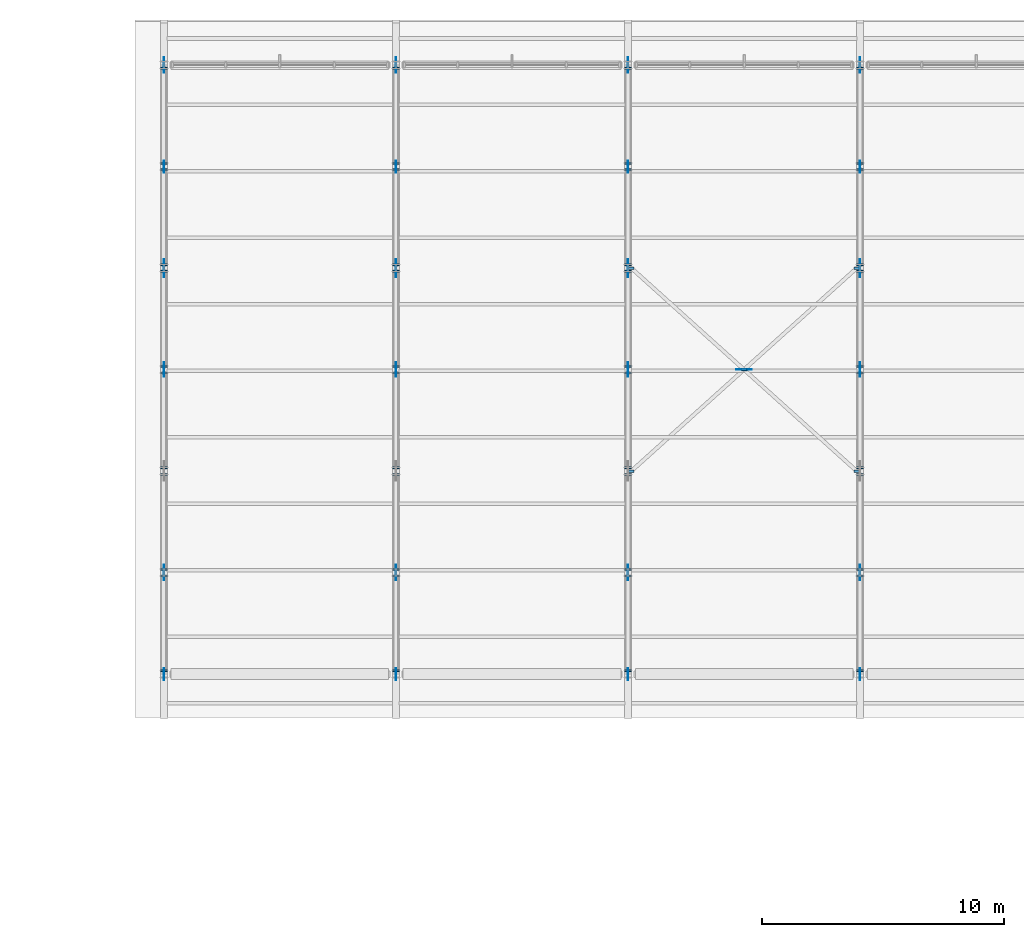
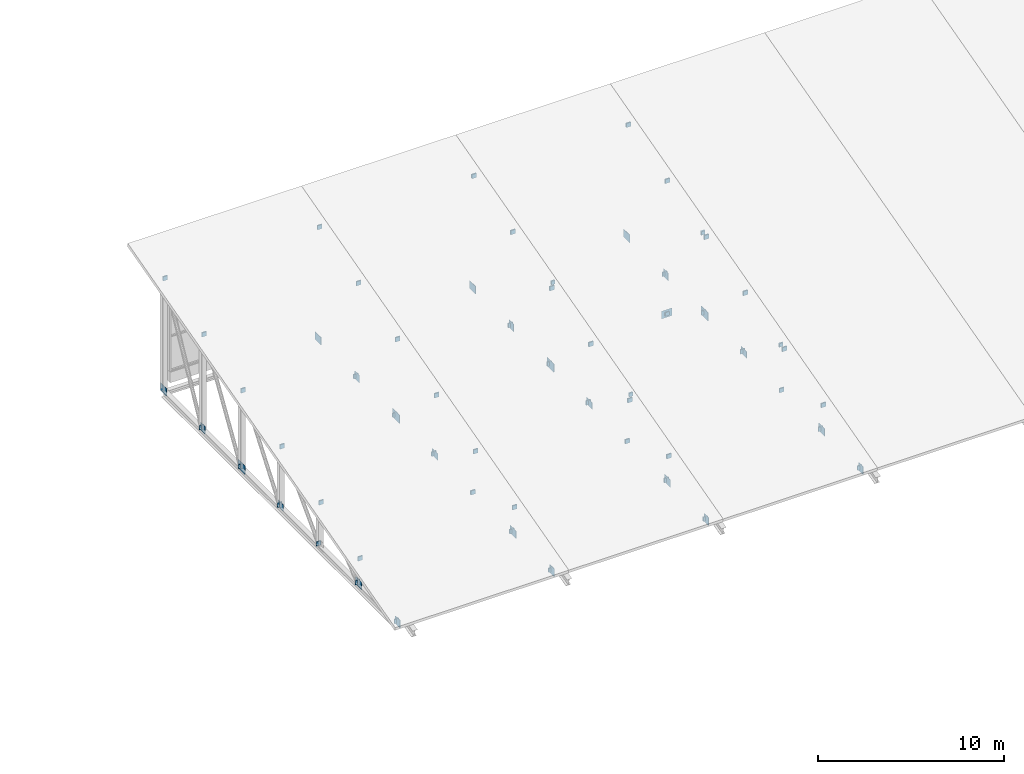
# One storey, part 24 of 37: 79 plates.
"""IFC4 building model written with IfcOpenShell, lengths in metres."""

from ifc_helpers import new_model, si_unit, direction, frame, origin, origin_2d, place, context, subcontext, project, spatial, rectangle, extrude, material, layer, layer_set, type_object, element, save


model = new_model("IFC4")

# Units and contexts
model_context = context("Model", 3, precision=1e-05, world=origin(), true_north=direction((0.0, 1.0)))
body_context = subcontext(model_context, "Body", "Model", "MODEL_VIEW")
ifc_project = project(units=[si_unit("LENGTHUNIT", "METRE"), si_unit("AREAUNIT", "SQUARE_METRE"), si_unit("VOLUMEUNIT", "CUBIC_METRE"), si_unit("PLANEANGLEUNIT", "RADIAN"), si_unit("MASSUNIT", "GRAM", prefix="KILO")], contexts=[model_context])

# Site, building, storey
site_placement = place(None, origin())
site = spatial("IfcSite", under=ifc_project, at=site_placement, CompositionType="ELEMENT")
building_placement = place(site_placement, origin())
building = spatial("IfcBuilding", under=site, at=building_placement, Name="Shalvenor Court Art Gallery", CompositionType="ELEMENT")
storey_placement = place(building_placement, frame((0.0, 0.0, 22.199951171875)))
storey = spatial("IfcBuildingStorey", under=building, at=storey_placement, Name="L04", CompositionType="ELEMENT", Elevation=22.199951171875)

# Plates
ifc_material_1 = material(Name="Steel S355", Category="steel")
ifc_layer_1 = layer(ifc_material_1, 0.02001953125, Name="Steel S355")
ifc_layer_set_1 = layer_set([ifc_layer_1], Name="Steel S355")
plate_type_1 = type_object("IfcPlateType", Name="EP-01", PredefinedType="USERDEFINED", material=ifc_layer_set_1)
for number, where, z_axis, x_axis, name in (
    (1, (57.60009765625, 97.340087890625, -1.27490234375), (0.0, 0.0, 1.0), (1.0, 0.0, 0.0), "Truss End Cap Stiffener PLT-CAP-0008"),
    (2, (57.60009765625, 101.260009765625, 0.45654296875), (0.0, 0.0, 1.0), (1.0, 0.0, 0.0), "Truss End Cap Stiffener PLT-CAP-0009"),
    (3, (57.60009765625, 101.5400390625, -1.27490234375), (0.0, 0.0, 1.0), (1.0, 0.0, 0.0), "Truss End Cap Stiffener PLT-CAP-0010"),
    (4, (57.60009765625, 105.4599609375, 1.59423828125), (0.0, 0.0, 1.0), (1.0, 0.0, 0.0), "Truss End Cap Stiffener PLT-CAP-0011"),
    (5, (57.60009765625, 105.739990234375, -1.27490234375), (0.0, 0.0, 1.0), (1.0, 0.0, 0.0), "Truss End Cap Stiffener PLT-CAP-0012"),
    (6, (57.60009765625, 109.659912109375, 2.73193359375), (0.0, 0.0, 1.0), (1.0, 0.0, 0.0), "Truss End Cap Stiffener PLT-CAP-0013"),
    (7, (57.60009765625, 109.93994140625, -1.27490234375), (0.0, 0.0, 1.0), (1.0, 0.0, 0.0), "Truss End Cap Stiffener PLT-CAP-0014"),
    (8, (57.60009765625, 113.860107421875, 3.869140625), (0.0, 0.0, 1.0), (1.0, 0.0, 0.0), "Truss End Cap Stiffener PLT-CAP-0015"),
    (9, (57.60009765625, 114.139892578125, -1.27490234375), (0.0, 0.0, 1.0), (1.0, 0.0, 0.0), "Truss End Cap Stiffener PLT-CAP-0016"),
    (10, (57.60009765625, 118.06005859375, 5.0068359375), (0.0, 0.0, 1.0), (1.0, 0.0, 0.0), "Truss End Cap Stiffener PLT-CAP-0017"),
    (11, (57.60009765625, 118.340087890625, -1.27490234375), (0.0, 0.0, 1.0), (1.0, 0.0, 0.0), "Truss End Cap Stiffener PLT-CAP-0018"),
    (12, (57.60009765625, 122.260009765625, 6.14404296875), (0.0, 0.0, 1.0), (1.0, 0.0, 0.0), "Truss End Cap Stiffener PLT-CAP-0019"),
    (13, (67.199951171875, 97.340087890625, -1.27490234375), (0.0, 0.0, 1.0), (1.0, 0.0, 0.0), "Truss End Cap Stiffener PLT-CAP-0027"),
    (14, (67.199951171875, 101.260009765625, 0.45654296875), (0.0, 0.0, 1.0), (1.0, 0.0, 0.0), "Truss End Cap Stiffener PLT-CAP-0028"),
    (15, (67.199951171875, 101.5400390625, -1.27490234375), (0.0, 0.0, 1.0), (1.0, 0.0, 0.0), "Truss End Cap Stiffener PLT-CAP-0029"),
    (16, (67.199951171875, 105.4599609375, 1.59423828125), (0.0, 0.0, 1.0), (1.0, 0.0, 0.0), "Truss End Cap Stiffener PLT-CAP-0030"),
    (17, (67.199951171875, 105.739990234375, -1.27490234375), (0.0, 0.0, 1.0), (1.0, 0.0, 0.0), "Truss End Cap Stiffener PLT-CAP-0031"),
    (18, (67.199951171875, 109.659912109375, 2.73193359375), (0.0, 0.0, 1.0), (1.0, 0.0, 0.0), "Truss End Cap Stiffener PLT-CAP-0032"),
    (19, (67.199951171875, 109.93994140625, -1.27490234375), (0.0, 0.0, 1.0), (1.0, 0.0, 0.0), "Truss End Cap Stiffener PLT-CAP-0033"),
    (20, (67.199951171875, 113.860107421875, 3.869140625), (0.0, 0.0, 1.0), (1.0, 0.0, 0.0), "Truss End Cap Stiffener PLT-CAP-0034"),
    (21, (67.199951171875, 114.139892578125, -1.27490234375), (0.0, 0.0, 1.0), (1.0, 0.0, 0.0), "Truss End Cap Stiffener PLT-CAP-0035"),
    (22, (67.199951171875, 118.06005859375, 5.0068359375), (0.0, 0.0, 1.0), (1.0, 0.0, 0.0), "Truss End Cap Stiffener PLT-CAP-0036"),
    (23, (67.199951171875, 118.340087890625, -1.27490234375), (0.0, 0.0, 1.0), (1.0, 0.0, 0.0), "Truss End Cap Stiffener PLT-CAP-0037"),
    (24, (67.199951171875, 122.260009765625, 6.14404296875), (0.0, 0.0, 1.0), (1.0, 0.0, 0.0), "Truss End Cap Stiffener PLT-CAP-0038"),
    (25, (76.800048828125, 97.340087890625, -1.27490234375), (0.0, 0.0, 1.0), (1.0, 0.0, 0.0), "Truss End Cap Stiffener PLT-CAP-0046"),
    (26, (76.800048828125, 101.260009765625, 0.45654296875), (0.0, 0.0, 1.0), (1.0, 0.0, 0.0), "Truss End Cap Stiffener PLT-CAP-0047"),
    (27, (76.800048828125, 101.5400390625, -1.27490234375), (0.0, 0.0, 1.0), (1.0, 0.0, 0.0), "Truss End Cap Stiffener PLT-CAP-0048"),
    (28, (76.800048828125, 105.4599609375, 1.59423828125), (0.0, 0.0, 1.0), (1.0, 0.0, 0.0), "Truss End Cap Stiffener PLT-CAP-0049"),
    (29, (76.800048828125, 105.739990234375, -1.27490234375), (0.0, 0.0, 1.0), (1.0, 0.0, 0.0), "Truss End Cap Stiffener PLT-CAP-0050"),
    (30, (76.800048828125, 109.659912109375, 2.73193359375), (0.0, 0.0, 1.0), (1.0, 0.0, 0.0), "Truss End Cap Stiffener PLT-CAP-0051"),
    (31, (76.800048828125, 109.93994140625, -1.27490234375), (0.0, 0.0, 1.0), (1.0, 0.0, 0.0), "Truss End Cap Stiffener PLT-CAP-0052"),
    (32, (76.800048828125, 113.860107421875, 3.869140625), (0.0, 0.0, 1.0), (1.0, 0.0, 0.0), "Truss End Cap Stiffener PLT-CAP-0053"),
    (33, (76.800048828125, 114.139892578125, -1.27490234375), (0.0, 0.0, 1.0), (1.0, 0.0, 0.0), "Truss End Cap Stiffener PLT-CAP-0054"),
    (34, (76.800048828125, 118.06005859375, 5.0068359375), (0.0, 0.0, 1.0), (1.0, 0.0, 0.0), "Truss End Cap Stiffener PLT-CAP-0055"),
    (35, (76.800048828125, 118.340087890625, -1.27490234375), (0.0, 0.0, 1.0), (1.0, 0.0, 0.0), "Truss End Cap Stiffener PLT-CAP-0056"),
    (36, (76.800048828125, 122.260009765625, 6.14404296875), (0.0, 0.0, 1.0), (1.0, 0.0, 0.0), "Truss End Cap Stiffener PLT-CAP-0057"),
    (37, (86.39990234375, 97.340087890625, -1.27490234375), (0.0, 0.0, 1.0), (1.0, 0.0, 0.0), "Truss End Cap Stiffener PLT-CAP-0065"),
    (38, (86.39990234375, 101.260009765625, 0.45654296875), (0.0, 0.0, 1.0), (1.0, 0.0, 0.0), "Truss End Cap Stiffener PLT-CAP-0066"),
    (39, (86.39990234375, 101.5400390625, -1.27490234375), (0.0, 0.0, 1.0), (1.0, 0.0, 0.0), "Truss End Cap Stiffener PLT-CAP-0067"),
    (40, (86.39990234375, 105.4599609375, 1.59423828125), (0.0, 0.0, 1.0), (1.0, 0.0, 0.0), "Truss End Cap Stiffener PLT-CAP-0068"),
    (41, (86.39990234375, 105.739990234375, -1.27490234375), (0.0, 0.0, 1.0), (1.0, 0.0, 0.0), "Truss End Cap Stiffener PLT-CAP-0069"),
    (42, (86.39990234375, 109.659912109375, 2.73193359375), (0.0, 0.0, 1.0), (1.0, 0.0, 0.0), "Truss End Cap Stiffener PLT-CAP-0070"),
    (43, (86.39990234375, 109.93994140625, -1.27490234375), (0.0, 0.0, 1.0), (1.0, 0.0, 0.0), "Truss End Cap Stiffener PLT-CAP-0071"),
    (44, (86.39990234375, 113.860107421875, 3.869140625), (0.0, 0.0, 1.0), (1.0, 0.0, 0.0), "Truss End Cap Stiffener PLT-CAP-0072"),
    (45, (86.39990234375, 114.139892578125, -1.27490234375), (0.0, 0.0, 1.0), (1.0, 0.0, 0.0), "Truss End Cap Stiffener PLT-CAP-0073"),
    (46, (86.39990234375, 118.06005859375, 5.0068359375), (0.0, 0.0, 1.0), (1.0, 0.0, 0.0), "Truss End Cap Stiffener PLT-CAP-0074"),
    (47, (86.39990234375, 118.340087890625, -1.27490234375), (0.0, 0.0, 1.0), (1.0, 0.0, 0.0), "Truss End Cap Stiffener PLT-CAP-0075"),
    (48, (86.39990234375, 122.260009765625, 6.14404296875), (0.0, 0.0, 1.0), (1.0, 0.0, 0.0), "Truss End Cap Stiffener PLT-CAP-0076"),
):
    element("IfcPlate", number, at=place(storey_placement, frame(where, z_axis=z_axis, x_axis=x_axis)), inside=storey, type_object=plate_type_1, Name=name, ObjectType="STIFFENER PLATE", PredefinedType="USERDEFINED", context=body_context, shape_type="SweptSolid", body=[
        extrude(rectangle(XDim=0.280029296875, YDim=0.080078125, at=origin_2d()), origin(), (0.0, 0.0, 1.0), 0.280029296875),
    ])
ifc_material_2 = material(Name="Steel S355", Category="steel")
ifc_layer_2 = layer(ifc_material_2, 0.01806640625, Name="Steel S355")
ifc_layer_set_2 = layer_set([ifc_layer_2], Name="Steel S355")
plate_type_2 = type_object("IfcPlateType", Name="EP-03", PredefinedType="USERDEFINED", material=ifc_layer_set_2)
for number, where, z_axis, x_axis, name in (
    (49, (76.93505859375, 105.60009765625, 1.84912109375), (0.0, 0.0, 1.0), (1.0, 0.0, 0.0), "Brace End Cap Stiffener PLT-CAP-0154"),
    (50, (86.264892578125, 114.0, 4.1240234375), (0.0, 0.0, 1.0), (1.0, 0.0, 0.0), "Brace End Cap Stiffener PLT-CAP-0155"),
    (51, (86.264892578125, 105.60009765625, 1.84912109375), (0.0, 0.0, 1.0), (1.0, 0.0, 0.0), "Brace End Cap Stiffener PLT-CAP-0156"),
    (52, (81.614501953125, 109.786865234375, 2.98291015625), (0.0, 0.0, 1.0), (1.0, 0.0, 0.0), "Brace End Cap Stiffener PLT-CAP-0157"),
    (53, (81.58544921875, 109.813232421875, 2.990234375), (0.0, 0.0, 1.0), (1.0, 0.0, 0.0), "Brace End Cap Stiffener PLT-CAP-0158"),
    (54, (76.93505859375, 114.0, 4.1240234375), (0.0, 0.0, 1.0), (1.0, 0.0, 0.0), "Brace End Cap Stiffener PLT-CAP-0159"),
):
    element("IfcPlate", number, at=place(storey_placement, frame(where, z_axis=z_axis, x_axis=x_axis)), inside=storey, type_object=plate_type_2, Name=name, ObjectType="STIFFENER PLATE", PredefinedType="USERDEFINED", context=body_context, shape_type="SweptSolid", body=[
        extrude(rectangle(XDim=0.239990234375, YDim=0.10009765625, at=origin_2d()), origin(), (0.0, 0.0, 1.0), 0.239990234375),
    ])
ifc_material_3 = material(Name="Steel S355", Category="steel")
ifc_layer_3 = layer(ifc_material_3, 0.02392578125, Name="Steel S355")
ifc_layer_set_3 = layer_set([ifc_layer_3], Name="Steel S355")
plate_type_3 = type_object("IfcPlateType", Name="GP-01", PredefinedType="SHEET", material=ifc_layer_set_3)
for number, where, z_axis, x_axis, name in (
    (55, (57.60009765625, 97.199951171875, -1.375), (0.0, 0.0, 1.0), (0.0, 1.0, 0.0), "TN-01 Truss Gusset Plate PLT-GUS-0001"),
    (56, (57.60009765625, 118.199951171875, -1.375), (0.0, 0.0, 1.0), (0.0, 1.0, 0.0), "TN-02 Truss Gusset Plate PLT-GUS-0006"),
    (57, (67.199951171875, 97.199951171875, -1.375), (0.0, 0.0, 1.0), (0.0, 1.0, 0.0), "TN-01 Truss Gusset Plate PLT-GUS-0020"),
    (58, (67.199951171875, 118.199951171875, -1.375), (0.0, 0.0, 1.0), (0.0, 1.0, 0.0), "TN-02 Truss Gusset Plate PLT-GUS-0025"),
    (59, (76.800048828125, 97.199951171875, -1.375), (0.0, 0.0, 1.0), (0.0, 1.0, 0.0), "TN-01 Truss Gusset Plate PLT-GUS-0039"),
    (60, (76.800048828125, 118.199951171875, -1.375), (0.0, 0.0, 1.0), (0.0, 1.0, 0.0), "TN-02 Truss Gusset Plate PLT-GUS-0044"),
    (61, (86.39990234375, 97.199951171875, -1.375), (0.0, 0.0, 1.0), (0.0, 1.0, 0.0), "TN-01 Truss Gusset Plate PLT-GUS-0058"),
    (62, (86.39990234375, 118.199951171875, -1.375), (0.0, 0.0, 1.0), (0.0, 1.0, 0.0), "TN-02 Truss Gusset Plate PLT-GUS-0063"),
):
    element("IfcPlate", number, at=place(storey_placement, frame(where, z_axis=z_axis, x_axis=x_axis)), inside=storey, type_object=plate_type_3, Name=name, PredefinedType="SHEET", context=body_context, shape_type="SweptSolid", body=[
        extrude(rectangle(XDim=0.5, YDim=0.02392578125, at=origin_2d()), origin(), (0.0, 0.0, 1.0), 0.5),
    ])
ifc_material_4 = material(Name="Steel S355", Category="steel")
ifc_layer_4 = layer(ifc_material_4, 0.02392578125, Name="Steel S355")
ifc_layer_set_4 = layer_set([ifc_layer_4], Name="Steel S355")
plate_type_4 = type_object("IfcPlateType", Name="GP-02", PredefinedType="SHEET", material=ifc_layer_set_4)
for number, where, z_axis, x_axis, name in (
    (63, (57.60009765625, 101.39990234375, -1.375), (0.0, 0.0, 1.0), (0.0, 1.0, 0.0), "TN-02 Truss Gusset Plate PLT-GUS-0002"),
    (64, (57.60009765625, 122.39990234375, -1.375), (0.0, 0.0, 1.0), (0.0, 1.0, 0.0), "TN-03 Truss Gusset Plate PLT-GUS-0007"),
    (65, (67.199951171875, 101.39990234375, -1.375), (0.0, 0.0, 1.0), (0.0, 1.0, 0.0), "TN-02 Truss Gusset Plate PLT-GUS-0021"),
    (66, (67.199951171875, 122.39990234375, -1.375), (0.0, 0.0, 1.0), (0.0, 1.0, 0.0), "TN-03 Truss Gusset Plate PLT-GUS-0026"),
    (67, (76.800048828125, 101.39990234375, -1.375), (0.0, 0.0, 1.0), (0.0, 1.0, 0.0), "TN-02 Truss Gusset Plate PLT-GUS-0040"),
    (68, (76.800048828125, 122.39990234375, -1.375), (0.0, 0.0, 1.0), (0.0, 1.0, 0.0), "TN-03 Truss Gusset Plate PLT-GUS-0045"),
    (69, (86.39990234375, 101.39990234375, -1.375), (0.0, 0.0, 1.0), (0.0, 1.0, 0.0), "TN-02 Truss Gusset Plate PLT-GUS-0059"),
    (70, (86.39990234375, 122.39990234375, -1.375), (0.0, 0.0, 1.0), (0.0, 1.0, 0.0), "TN-03 Truss Gusset Plate PLT-GUS-0064"),
    (71, (81.60009765625, 109.800048828125, 2.856689453125), (0.0, 0.0, 1.0), (1.0, 0.0, 0.0), "X-Brace Crossing Node Gusset PLT-XND-0153"),
):
    element("IfcPlate", number, at=place(storey_placement, frame(where, z_axis=z_axis, x_axis=x_axis)), inside=storey, type_object=plate_type_4, Name=name, PredefinedType="SHEET", context=body_context, shape_type="SweptSolid", body=[
        extrude(rectangle(XDim=0.64990234375, YDim=0.02392578125, at=origin_2d()), origin(), (0.0, 0.0, 1.0), 0.5),
    ])
ifc_material_5 = material(Name="Steel S355", Category="steel")
ifc_layer_5 = layer(ifc_material_5, 0.02197265625, Name="Steel S355")
ifc_layer_set_5 = layer_set([ifc_layer_5], Name="Steel S355")
plate_type_5 = type_object("IfcPlateType", Name="GP-04", PredefinedType="SHEET", material=ifc_layer_set_5)
for number, where, z_axis, x_axis, name in (
    (72, (57.60009765625, 109.800048828125, -1.35009765625), (0.0, 0.0, 1.0), (0.0, 1.0, 0.0), "TN-02 Truss Gusset Plate PLT-GUS-0004"),
    (73, (67.199951171875, 109.800048828125, -1.35009765625), (0.0, 0.0, 1.0), (0.0, 1.0, 0.0), "TN-02 Truss Gusset Plate PLT-GUS-0023"),
    (74, (76.800048828125, 109.800048828125, -1.35009765625), (0.0, 0.0, 1.0), (0.0, 1.0, 0.0), "TN-02 Truss Gusset Plate PLT-GUS-0042"),
    (75, (86.39990234375, 109.800048828125, -1.35009765625), (0.0, 0.0, 1.0), (0.0, 1.0, 0.0), "TN-02 Truss Gusset Plate PLT-GUS-0061"),
):
    element("IfcPlate", number, at=place(storey_placement, frame(where, z_axis=z_axis, x_axis=x_axis)), inside=storey, type_object=plate_type_5, Name=name, PredefinedType="SHEET", context=body_context, shape_type="SweptSolid", body=[
        extrude(rectangle(XDim=0.60009765625, YDim=0.02197265625, at=origin_2d()), origin(), (0.0, 0.0, 1.0), 0.449951171875),
    ])
ifc_material_6 = material(Name="Steel S355", Category="steel")
ifc_layer_6 = layer(ifc_material_6, 0.028076171875, Name="Steel S355")
ifc_layer_set_6 = layer_set([ifc_layer_6], Name="Steel S355")
plate_type_6 = type_object("IfcPlateType", Name="GP-05", PredefinedType="SHEET", material=ifc_layer_set_6)
for number, where, z_axis, x_axis, name in (
    (76, (57.60009765625, 114.0, -1.39990234375), (0.0, 0.0, 1.0), (0.0, 1.0, 0.0), "TN-02 Truss Gusset Plate PLT-GUS-0005"),
    (77, (67.199951171875, 114.0, -1.39990234375), (0.0, 0.0, 1.0), (0.0, 1.0, 0.0), "TN-02 Truss Gusset Plate PLT-GUS-0024"),
    (78, (76.800048828125, 114.0, -1.39990234375), (0.0, 0.0, 1.0), (0.0, 1.0, 0.0), "TN-02 Truss Gusset Plate PLT-GUS-0043"),
    (79, (86.39990234375, 114.0, -1.39990234375), (0.0, 0.0, 1.0), (0.0, 1.0, 0.0), "TN-02 Truss Gusset Plate PLT-GUS-0062"),
):
    element("IfcPlate", number, at=place(storey_placement, frame(where, z_axis=z_axis, x_axis=x_axis)), inside=storey, type_object=plate_type_6, Name=name, PredefinedType="SHEET", context=body_context, shape_type="SweptSolid", body=[
        extrude(rectangle(XDim=0.75, YDim=0.028076171875, at=origin_2d()), origin(), (0.0, 0.0, 1.0), 0.550048828125),
    ])

save(model, "model.ifc")
